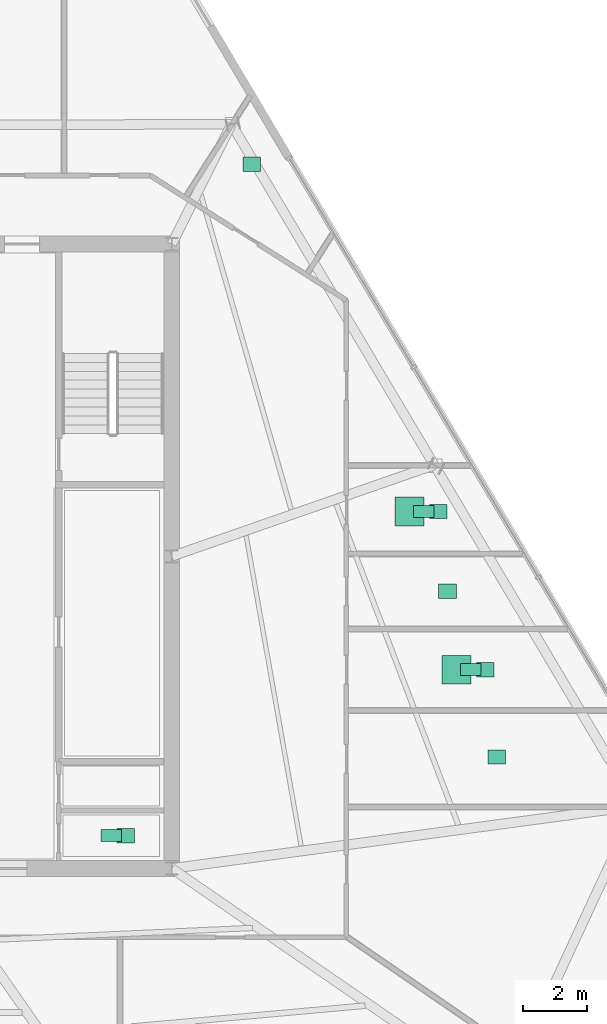
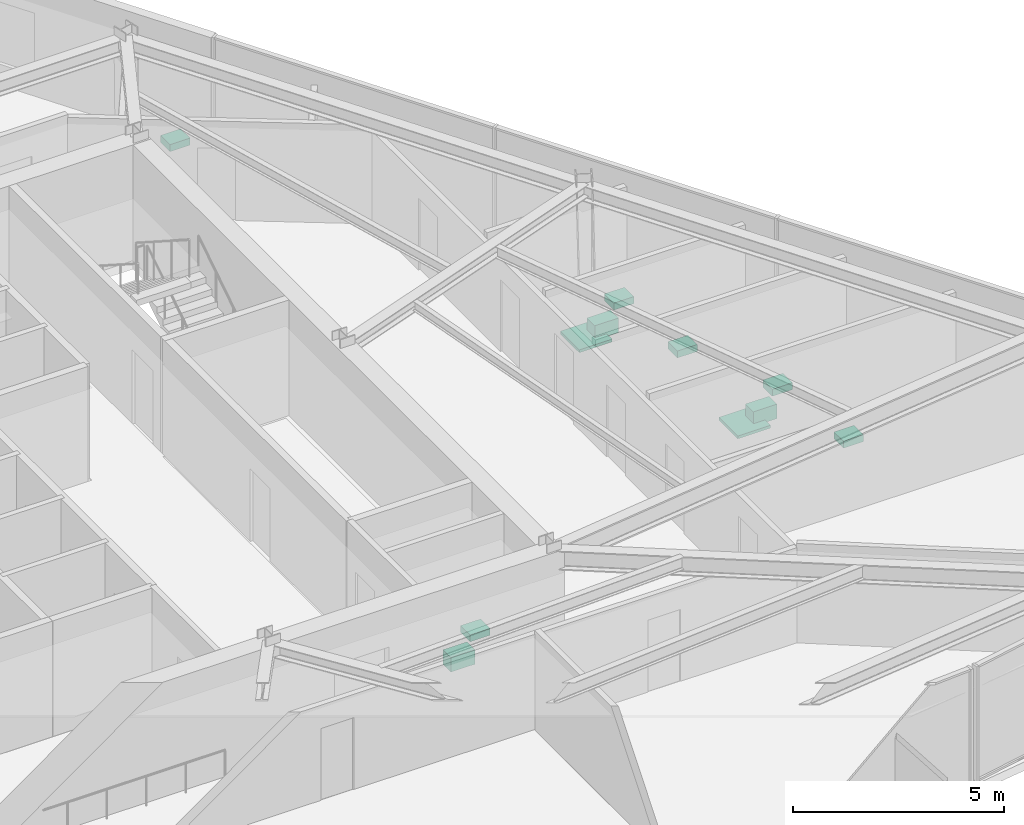
# One storey, part 15 of 15: 11 sanitary terminals.
"""IFC4 building model written with IfcOpenShell, lengths in metres."""

from ifc_helpers import new_model, si_unit, direction, frame, origin, origin_2d, place, context, subcontext, project, spatial, rectangle, extrude, material, type_object, element, save


model = new_model("IFC4")

# Units and contexts
model_context = context("Model", 3, precision=1e-05, world=origin(), true_north=direction((0.0, 1.0)))
body_context = subcontext(model_context, "Body", "Model", "MODEL_VIEW")
ifc_project = project(units=[si_unit("LENGTHUNIT", "METRE"), si_unit("AREAUNIT", "SQUARE_METRE"), si_unit("VOLUMEUNIT", "CUBIC_METRE"), si_unit("PLANEANGLEUNIT", "RADIAN"), si_unit("MASSUNIT", "GRAM", prefix="KILO")], contexts=[model_context])

# Site, building, storey
site_placement = place(None, origin())
site = spatial("IfcSite", under=ifc_project, at=site_placement, CompositionType="ELEMENT")
building_placement = place(site_placement, origin())
building = spatial("IfcBuilding", under=site, at=building_placement, Name="Savorim Split Tower", CompositionType="ELEMENT")
storey_placement = place(building_placement, frame((0.0, 0.0, 138.60009765625)))
storey = spatial("IfcBuildingStorey", under=building, at=storey_placement, Name="L36", CompositionType="ELEMENT", Elevation=138.60009765625)

# Sanitary terminals
ifc_material = material(Name="Vitreous China Sanitaryware")
sanitary_terminal_type_1 = type_object("IfcSanitaryTerminalType", Name="SAN-SHW-900", PredefinedType="SHOWER", material=ifc_material)
for number, where, z_axis, x_axis, name in (
    (1, (16.637451171875, -3.15869140625, -0.000244140625), (0.0, 0.0, 1.0), (1.0, 0.0, 0.0), "L36 Shared Bathroom Shower"),
    (2, (15.16162109375, 1.805419921875, -0.000244140625), (0.0, 0.0, 1.0), (1.0, 0.0, 0.0), "L36 Shared Bathroom Shower"),
):
    element("IfcSanitaryTerminal", number, at=place(storey_placement, frame(where, z_axis=z_axis, x_axis=x_axis)), inside=storey, type_object=sanitary_terminal_type_1, Name=name, PredefinedType="SHOWER", context=body_context, shape_type="SweptSolid", body=[
        extrude(rectangle(XDim=0.89990234375, YDim=0.89990234375, at=origin_2d()), origin(), (0.0, 0.0, 1.0), 0.080078125),
    ])
sanitary_terminal_type_2 = type_object("IfcSanitaryTerminalType", Name="SAN-WC-PAN", PredefinedType="TOILETPAN", material=ifc_material)
for number, where, z_axis, x_axis, name in (
    (3, (5.800048828125, -8.3701171875, 0.0), (0.0, 0.0, 1.0), (1.0, 0.0, 0.0), "L36 Accessible WC WC Pan"),
    (4, (17.08740234375, -3.15869140625, 0.0), (0.0, 0.0, 1.0), (1.0, 0.0, 0.0), "L36 Shared Bathroom WC Pan"),
    (5, (15.611572265625, 1.805419921875, 0.0), (0.0, 0.0, 1.0), (1.0, 0.0, 0.0), "L36 Shared Bathroom WC Pan"),
):
    element("IfcSanitaryTerminal", number, at=place(storey_placement, frame(where, z_axis=z_axis, x_axis=x_axis)), inside=storey, type_object=sanitary_terminal_type_2, Name=name, PredefinedType="TOILETPAN", context=body_context, shape_type="SweptSolid", body=[
        extrude(rectangle(XDim=0.64990234375, YDim=0.3798828125, at=origin_2d()), origin(), (0.0, 0.0, 1.0), 0.419921875),
    ])
sanitary_terminal_type_3 = type_object("IfcSanitaryTerminalType", Name="SAN-WHB-550", PredefinedType="WASHHANDBASIN", material=ifc_material)
for number, where, z_axis, x_axis, name in (
    (6, (6.25, -8.3701171875, 0.7197265625), (0.0, 0.0, 1.0), (1.0, 0.0, 0.0), "L36 Accessible WC Washhand Basin"),
    (7, (17.901611328125, -5.89697265625, 0.75), (0.0, 0.0, 1.0), (1.0, 0.0, 0.0), "L36 Shared Kitchen Utility Sink"),
    (8, (17.537353515625, -3.15869140625, 0.7197265625), (0.0, 0.0, 1.0), (1.0, 0.0, 0.0), "L36 Shared Bathroom Washhand Basin"),
    (9, (16.35595703125, -0.69873046875, 0.75), (0.0, 0.0, 1.0), (1.0, 0.0, 0.0), "L36 Shared Kitchen Utility Sink"),
    (10, (16.0615234375, 1.805419921875, 0.7197265625), (0.0, 0.0, 1.0), (1.0, 0.0, 0.0), "L36 Shared Bathroom Washhand Basin"),
    (11, (10.203125, 12.7080078125, 0.75), (0.0, 0.0, 1.0), (1.0, 0.0, 0.0), "L36 Shared Kitchen Utility Sink"),
):
    element("IfcSanitaryTerminal", number, at=place(storey_placement, frame(where, z_axis=z_axis, x_axis=x_axis)), inside=storey, type_object=sanitary_terminal_type_3, Name=name, PredefinedType="WASHHANDBASIN", context=body_context, shape_type="SweptSolid", body=[
        extrude(rectangle(XDim=0.550048828125, YDim=0.449951171875, at=origin_2d()), origin(), (0.0, 0.0, 1.0), 0.199951171875),
    ])

save(model, "model.ifc")
